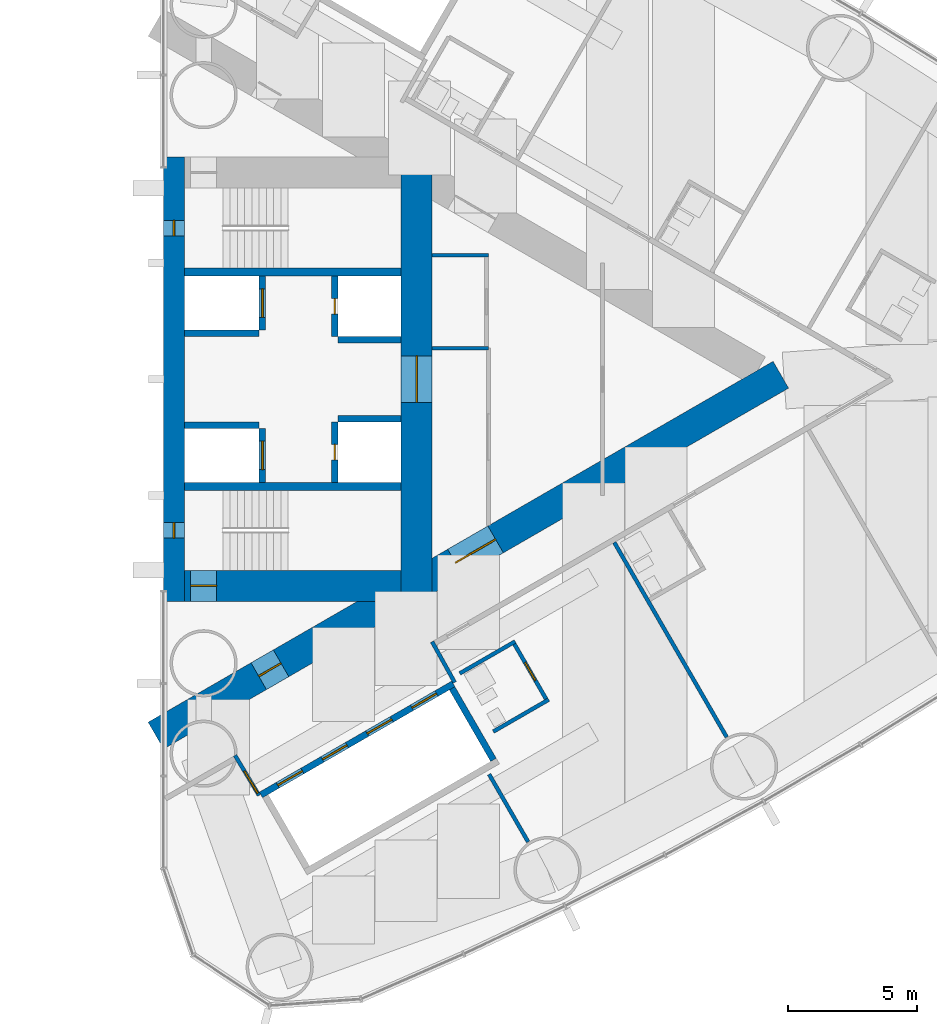
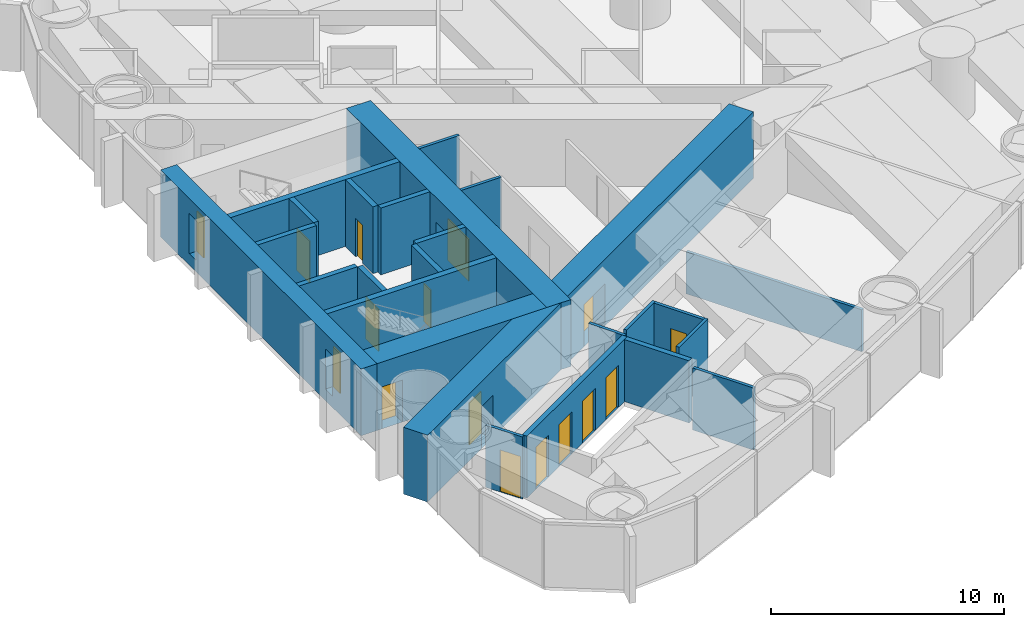
# One storey, part 14 of 19: 25 walls, 14 doors, 2 windows, 16 openings.
"""IFC4 building model written with IfcOpenShell, lengths in metres."""

import ifcopenshell
import ifcopenshell.guid

model = None  # the IFC model being written
_history = None  # IfcOwnerHistory: only IFC2X3 demands one
_inside = {}  # id of a spatial element -> (the spatial element, [elements in it])
_under = {}  # id of a project, library or spatial element -> (it, [spatial elements below it])
_declared = {}  # id of a project -> (the project, [libraries it declares])
_typed = {}  # id of a type object -> (the type object, [elements of that type])
_made_of = {}  # id of a material, layer set ... -> (it, [elements and type objects made of it])


def new_model(schema):
    """Start an empty IFC model of exactly this schema.

    Asked for "IFC4X3", IfcOpenShell would pick the latest addendum, in which some entities
    have other attributes; the version numbers below select the first issue.
    IFC2X3 requires an IfcOwnerHistory on every rooted entity: one is made here for all.
    """
    global model, _history
    if schema == "IFC4X3":
        model = ifcopenshell.file(schema_version=(4, 3, 0, 0))
    else:
        model = ifcopenshell.file(schema=schema)
    _inside.clear()
    _under.clear()
    _declared.clear()
    _typed.clear()
    _made_of.clear()
    _history = None
    if model.schema == "IFC2X3":
        org = make("IfcOrganization", Name="unknown")
        user = make(
            "IfcPersonAndOrganization",
            ThePerson=make("IfcPerson", FamilyName="unknown"),
            TheOrganization=org,
        )
        app = make(
            "IfcApplication",
            ApplicationDeveloper=org,
            Version="unknown",
            ApplicationFullName="unknown",
            ApplicationIdentifier="unknown",
        )
        _history = make(
            "IfcOwnerHistory",
            OwningUser=user,
            OwningApplication=app,
            ChangeAction="ADDED",
            CreationDate=0,
        )
    return model


def make(cls, **values):
    """One entity of the class cls with the attributes given. An attribute that is None is left unset."""
    return model.create_entity(
        cls, **{name: value for name, value in values.items() if value is not None}
    )


def rooted(cls, **values):
    """An entity with a GlobalId (a new one), such as an element, a storey or a relation."""
    return make(cls, GlobalId=ifcopenshell.guid.new(), OwnerHistory=_history, **values)


def si_unit(unit_type, name, prefix=None):
    """IfcSIUnit, for example si_unit("LENGTHUNIT", "METRE", prefix="MILLI")."""
    return make("IfcSIUnit", UnitType=unit_type, Prefix=prefix, Name=name)


def assignment(units):
    """IfcUnitAssignment: the units of a project."""
    return None if units is None else make("IfcUnitAssignment", Units=units)


def point(xyz):
    """IfcCartesianPoint."""
    return None if xyz is None else make("IfcCartesianPoint", Coordinates=xyz)


def direction(xyz):
    """IfcDirection."""
    return None if xyz is None else make("IfcDirection", DirectionRatios=xyz)


def frame(location, z_axis=None, x_axis=None):
    """IfcAxis2Placement3D, a coordinate frame: its origin and axes. An axis left out is left unset."""
    return make(
        "IfcAxis2Placement3D",
        Location=point(location),
        Axis=direction(z_axis),
        RefDirection=direction(x_axis),
    )


def frame_2d(location, x_axis=None):
    """IfcAxis2Placement2D, a coordinate frame in the plane: its origin and x axis."""
    return make(
        "IfcAxis2Placement2D", Location=point(location), RefDirection=direction(x_axis)
    )


def origin():
    """The frame at (0, 0, 0) with its axes left unset."""
    return frame((0.0, 0.0, 0.0))


def place(relative_to, where):
    """IfcLocalPlacement: puts the frame where relative to a parent placement (None: the world)."""
    return make(
        "IfcLocalPlacement", PlacementRelTo=relative_to, RelativePlacement=where
    )


def context(
    kind, dimensions, precision=None, world=None, true_north=None, identifier=None
):
    """IfcGeometricRepresentationContext, for example the 3D "Model" context."""
    return make(
        "IfcGeometricRepresentationContext",
        ContextIdentifier=identifier,
        ContextType=kind,
        CoordinateSpaceDimension=dimensions,
        Precision=precision,
        WorldCoordinateSystem=world,
        TrueNorth=true_north,
    )


def subcontext(parent, identifier, kind, view, scale=None):
    """IfcGeometricRepresentationSubContext, for example "Body" below "Model"."""
    return make(
        "IfcGeometricRepresentationSubContext",
        ContextIdentifier=identifier,
        ContextType=kind,
        ParentContext=parent,
        TargetScale=scale,
        TargetView=view,
    )


def project(units=None, contexts=None):
    """IfcProject with its units and contexts."""
    return rooted(
        "IfcProject",
        Name="project",
        RepresentationContexts=contexts,
        UnitsInContext=assignment(units),
    )


def spatial(cls, under=None, at=None, **own):
    """A site, building, storey or space (cls), placed at a placement, below another one or the project."""
    s = rooted(cls, ObjectPlacement=at, **own)
    if under is not None:
        _under.setdefault(under.id(), (under, []))[1].append(s)
    return s


def profile(cls, at=None, kind="AREA", **sizes):
    """A parametric profile (cls). Its sizes go by their IFC names, for example OverallWidth=200.0."""
    return make(cls, ProfileType=kind, Position=at, **sizes)


def rectangle(**sizes):
    """IfcRectangleProfileDef."""
    return profile("IfcRectangleProfileDef", **sizes)


def extrude(swept, where, along, depth):
    """IfcExtrudedAreaSolid: the profile swept, set in the frame where, extruded along a direction by depth."""
    return make(
        "IfcExtrudedAreaSolid",
        SweptArea=swept,
        Position=where,
        ExtrudedDirection=direction(along),
        Depth=depth,
    )


def shape(context_of_items, identifier, shape_type, items):
    """IfcShapeRepresentation: the items that make up one representation, for example the "Body"."""
    return make(
        "IfcShapeRepresentation",
        ContextOfItems=context_of_items,
        RepresentationIdentifier=identifier,
        RepresentationType=shape_type,
        Items=items,
    )


def material(Name=None, Category=None):
    """IfcMaterial."""
    return make("IfcMaterial", Name=Name, Category=Category)


def layer(
    of_material, thickness, ventilated=None, Name=None, Category=None, Priority=None
):
    """IfcMaterialLayer: one layer of a wall or slab, of a material (None: an air gap)."""
    return make(
        "IfcMaterialLayer",
        Material=of_material,
        LayerThickness=thickness,
        IsVentilated=ventilated,
        Name=Name,
        Category=Category,
        Priority=Priority,
    )


def layer_set(layers, Name=None):
    """IfcMaterialLayerSet."""
    return make("IfcMaterialLayerSet", MaterialLayers=layers, LayerSetName=Name)


def made_of(thing, what):
    """Note that an element or type object is made of a material, layer set ...; save() writes the relation."""
    if what is not None:
        _made_of.setdefault(what.id(), (what, []))[1].append(thing)
    return thing


def type_object(cls, material=None, **own):
    """A type object (cls), such as IfcWallType, which elements share."""
    return made_of(rooted(cls, **own), material)


def element(
    cls,
    number,
    at=None,
    inside=None,
    cuts=None,
    type_object=None,
    material=None,
    context=None,
    identifier="Body",
    shape_type=None,
    held_by="IfcProductDefinitionShape",
    body=None,
    shapes=None,
    **own,
):
    """One element of the class cls, such as IfcWall. Its Tag is "e" and its number.

    at: its placement. inside: the storey or other place that contains it. cuts: it is an
    opening in that element (IfcRelVoidsElement). A single representation is given by context,
    identifier, shape_type and body (its items); several are given by shapes. held_by: the class
    of the entity that holds the representations. save() writes the other relations.
    """
    e = rooted(cls, Tag="e%d" % number, ObjectPlacement=at, **own)
    if body is not None:
        shapes = [shape(context, identifier, shape_type, body)]
    if shapes is not None:
        e.Representation = make(held_by, Representations=shapes)
    if inside is not None:
        _inside.setdefault(inside.id(), (inside, []))[1].append(e)
    if cuts is not None:
        rooted(
            "IfcRelVoidsElement", RelatingBuildingElement=cuts, RelatedOpeningElement=e
        )
    if type_object is not None:
        _typed.setdefault(type_object.id(), (type_object, []))[1].append(e)
    return made_of(e, material)


def fill(opening, filler):
    """IfcRelFillsElement: the door or window that sits in an opening."""
    return rooted(
        "IfcRelFillsElement",
        RelatingOpeningElement=opening,
        RelatedBuildingElement=filler,
    )


def aggregate(whole, parts):
    """IfcRelAggregates: a whole, such as a stair, and the parts it consists of."""
    return rooted("IfcRelAggregates", RelatingObject=whole, RelatedObjects=parts)


def save(model, path):
    """Write the relations noted so far, then the file.

    IfcRelAggregates (storeys below a building ...), IfcRelContainedInSpatialStructure (elements
    in a storey), IfcRelDefinesByType, IfcRelAssociatesMaterial and IfcRelDeclares: one each for
    every whole, place, type object, material and project.
    """
    for whole, parts in _under.values():
        aggregate(whole, parts)
    for where, things in _inside.values():
        rooted(
            "IfcRelContainedInSpatialStructure",
            RelatedElements=things,
            RelatingStructure=where,
        )
    for kind, things in _typed.values():
        rooted("IfcRelDefinesByType", RelatedObjects=things, RelatingType=kind)
    for what, things in _made_of.values():
        rooted("IfcRelAssociatesMaterial", RelatedObjects=things, RelatingMaterial=what)
    for by, libraries in _declared.values():
        rooted("IfcRelDeclares", RelatingContext=by, RelatedDefinitions=libraries)
    model.write(path)


model = new_model("IFC4")

# Units and contexts
model_context = context("Model", 3, precision=1e-05, world=origin(), true_north=direction((0.0, 1.0)))
body_context = subcontext(model_context, "Body", "Model", "MODEL_VIEW")
ifc_project = project(units=[si_unit("LENGTHUNIT", "METRE"), si_unit("AREAUNIT", "SQUARE_METRE"), si_unit("VOLUMEUNIT", "CUBIC_METRE"), si_unit("PLANEANGLEUNIT", "RADIAN"), si_unit("MASSUNIT", "GRAM", prefix="KILO")], contexts=[model_context])

# Site, building, storey
site_placement = place(None, origin())
site = spatial("IfcSite", under=ifc_project, at=site_placement, CompositionType="ELEMENT")
building_placement = place(site_placement, origin())
building = spatial("IfcBuilding", under=site, at=building_placement, Name="Lancet Gate Hotel", CompositionType="ELEMENT")
storey_placement = place(building_placement, frame((0.0, 0.0, 132.60009765625)))
storey = spatial("IfcBuildingStorey", under=building, at=storey_placement, Name="L35", CompositionType="ELEMENT", Elevation=132.60009765625)

# Wall
ifc_material_1 = material(Name="Moisture resistant board partition")
ifc_layer_1 = layer(ifc_material_1, 0.14990234375)
ifc_layer_set_1 = layer_set([ifc_layer_1], Name="Bathroom wall 150")
wall_type_1 = type_object("IfcWallType", Name="Bathroom wall 150", PredefinedType="PARTITIONING", material=ifc_layer_set_1)
wall_1_placement = place(storey_placement, frame((40.269775390625, -13.644287109375, 0.0), z_axis=(0.0, 0.0, 1.0), x_axis=(0.866031185235, 0.4999899861, 0.0)))
element("IfcWall", 1, at=wall_1_placement, inside=storey, type_object=wall_type_1, Name="T2 bathroom wall 150 L35", PredefinedType="PARTITIONING", context=body_context, shape_type="SweptSolid", body=[
    extrude(rectangle(XDim=2.47509765625, YDim=0.14990234375, at=frame_2d((1.237548828125, 0.0))), origin(), (0.0, 0.0, 1.0), 3.25),
])

# Wall, opening, door
wall_2_placement = place(storey_placement, frame((41.04833984375, -10.192626953125, 0.0), z_axis=(0.0, 0.0, 1.0), x_axis=(0.500047596559, -0.865997922154, 0.0)))
wall_2 = element("IfcWall", 2, at=wall_2_placement, inside=storey, type_object=wall_type_1, Name="T2 bathroom wall 150 L35", PredefinedType="PARTITIONING", context=body_context, shape_type="SweptSolid", body=[
    extrude(rectangle(XDim=2.599853515625, YDim=0.14990234375, at=frame_2d((1.2998046875, 0.0))), origin(), (0.0, 0.0, 1.0), 3.25),
])
opening_1_placement = place(wall_2_placement, frame((0.89990234375, 0.0, 0.0)))
opening_1 = element("IfcOpeningElement", 3, at=opening_1_placement, cuts=wall_2, Name="Opening 3553-B", PredefinedType="OPENING", context=body_context, shape_type="SweptSolid", body=[
    extrude(rectangle(XDim=0.800048828125, YDim=2.199951171875, at=frame_2d((0.39990234375, 1.10009765625))), frame((0.0, 0.0849609375, 0.0), z_axis=(0.0, -1.0, 0.0), x_axis=(1.0, 0.0, 0.0)), (0.0, 0.0, 1.0), 0.169921875),
])
ifc_material_2 = material(Name="Timber door set", Category="wood")
door_type_1 = type_object("IfcDoorType", Name="Bathroom door 800", OperationType="SINGLE_SWING_RIGHT", PredefinedType="DOOR", material=ifc_material_2)
door_1_placement = place(opening_1_placement, origin())
door_1 = element("IfcDoor", 4, at=door_1_placement, inside=storey, type_object=door_type_1, Name="3553-B", OperationType="SINGLE_SWING_RIGHT", OverallHeight=2.199951171875, OverallWidth=0.800048828125, PredefinedType="DOOR", context=body_context, shape_type="SweptSolid", body=[
    extrude(rectangle(XDim=0.800048828125, YDim=2.199951171875, at=frame_2d((0.39990234375, 1.10009765625))), frame((0.0, 0.02490234375, 0.0), z_axis=(0.0, -1.0, 0.0), x_axis=(1.0, 0.0, 0.0)), (0.0, 0.0, 1.0), 0.050048828125),
])
fill(opening_1, door_1)

# Wall
wall_3_placement = place(storey_placement, frame((38.9697265625, -11.392578125, 0.0), z_axis=(0.0, 0.0, 1.0), x_axis=(0.866031185235, 0.4999899861, 0.0)))
element("IfcWall", 5, at=wall_3_placement, inside=storey, type_object=wall_type_1, Name="T2 bathroom wall 150 L35", PredefinedType="PARTITIONING", context=body_context, shape_type="SweptSolid", body=[
    extrude(rectangle(XDim=2.47509765625, YDim=0.14990234375, at=frame_2d((1.237548828125, 0.0))), origin(), (0.0, 0.0, 1.0), 3.25),
])

# Wall, openings, doors
ifc_material_3 = material(Name="Concrete C70/85", Category="concrete")
ifc_layer_2 = layer(ifc_material_3, 1.199951171875)
ifc_layer_set_2 = layer_set([ifc_layer_2], Name="Buttress wall 1200")
wall_type_2 = type_object("IfcWallType", Name="Buttress wall 1200", PredefinedType="SHEAR", material=ifc_layer_set_2)
wall_4_placement = place(storey_placement, frame((27.199951171875, -13.800048828125, 0.0), z_axis=(0.0, 0.0, 1.0), x_axis=(0.866027159892, 0.499996958321, 0.0)))
wall_4 = element("IfcWall", 6, at=wall_4_placement, inside=storey, type_object=wall_type_2, Name="T2 buttress wall S L35", PredefinedType="SHEAR", context=body_context, shape_type="SweptSolid", body=[
    extrude(rectangle(XDim=27.946533203125, YDim=1.199951171875, at=frame_2d((13.97314453125, 0.0))), origin(), (0.0, 0.0, 1.0), 3.5),
])
opening_2_placement = place(wall_4_placement, frame((4.60009765625, 0.0, 0.0)))
opening_2 = element("IfcOpeningElement", 7, at=opening_2_placement, cuts=wall_4, Name="Opening T2-L35-LS", PredefinedType="OPENING", context=body_context, shape_type="SweptSolid", body=[
    extrude(rectangle(XDim=1.0, YDim=2.199951171875, at=frame_2d((0.5, 1.10009765625))), frame((0.0, 0.60986328125, 0.0), z_axis=(0.0, -1.0, 0.0), x_axis=(1.0, 0.0, 0.0)), (0.0, 0.0, 1.0), 1.219970703125),
])
opening_3_placement = place(wall_4_placement, frame((13.39453125, 0.0, 0.0)))
opening_3 = element("IfcOpeningElement", 8, at=opening_3_placement, cuts=wall_4, Name="Opening T2-L35-LHS", PredefinedType="OPENING", context=body_context, shape_type="SweptSolid", body=[
    extrude(rectangle(XDim=1.800048828125, YDim=2.199951171875, at=frame_2d((0.89990234375, 1.10009765625))), frame((0.0, 0.60986328125, 0.0), z_axis=(0.0, -1.0, 0.0), x_axis=(1.0, 0.0, 0.0)), (0.0, 0.0, 1.0), 1.219970703125),
])
ifc_material_4 = material(Name="Timber door set", Category="wood")
door_type_2 = type_object("IfcDoorType", Name="Lobby double door 1800", OperationType="DOUBLE_DOOR_SINGLE_SWING", PredefinedType="DOOR", material=ifc_material_4)
door_2_placement = place(opening_3_placement, origin())
door_2 = element("IfcDoor", 9, at=door_2_placement, inside=storey, type_object=door_type_2, Name="T2-L35-LHS", OperationType="DOUBLE_DOOR_SINGLE_SWING", OverallHeight=2.199951171875, OverallWidth=1.800048828125, PredefinedType="DOOR", context=body_context, shape_type="SweptSolid", body=[
    extrude(rectangle(XDim=1.800048828125, YDim=2.199951171875, at=frame_2d((0.89990234375, 1.10009765625))), frame((0.0, 0.02490234375, 0.0), z_axis=(0.0, -1.0, 0.0), x_axis=(1.0, 0.0, 0.0)), (0.0, 0.0, 1.0), 0.050048828125),
])
fill(opening_3, door_2)
ifc_material_5 = material(Name="Timber door set", Category="wood")
door_type_3 = type_object("IfcDoorType", Name="Stair lobby door 1000", OperationType="SINGLE_SWING_LEFT", PredefinedType="DOOR", material=ifc_material_5)
door_3_placement = place(opening_2_placement, origin())
door_3 = element("IfcDoor", 10, at=door_3_placement, inside=storey, type_object=door_type_3, Name="T2-L35-LS", OperationType="SINGLE_SWING_LEFT", OverallHeight=2.199951171875, OverallWidth=1.0, PredefinedType="DOOR", context=body_context, shape_type="SweptSolid", body=[
    extrude(rectangle(XDim=1.0, YDim=2.199951171875, at=frame_2d((0.5, 1.10009765625))), frame((0.0, 0.02490234375, 0.0), z_axis=(0.0, -1.0, 0.0), x_axis=(1.0, 0.0, 0.0)), (0.0, 0.0, 1.0), 0.050048828125),
])
fill(opening_2, door_3)

# Wall, opening, door
ifc_material_6 = material(Name="Concrete C70/85", Category="concrete")
ifc_layer_3 = layer(ifc_material_6, 1.199951171875)
ifc_layer_set_3 = layer_set([ifc_layer_3], Name="Core wall 1200")
wall_type_3 = type_object("IfcWallType", Name="Core wall 1200", PredefinedType="SHEAR", material=ifc_layer_set_3)
wall_5_placement = place(storey_placement, frame((37.300048828125, -8.60009765625, 0.0), z_axis=(0.0, 0.0, 1.0), x_axis=(0.0, 1.0, 0.0)))
wall_5 = element("IfcWall", 11, at=wall_5_placement, inside=storey, type_object=wall_type_3, Name="T2 core wall back L35", PredefinedType="SHEAR", context=body_context, shape_type="SweptSolid", body=[
    extrude(rectangle(XDim=17.2001953125, YDim=1.199951171875, at=frame_2d((8.60009765625, 0.0))), origin(), (0.0, 0.0, 1.0), 3.5),
])
opening_4_placement = place(wall_5_placement, frame((7.699951171875, 0.0, 0.0)))
opening_4 = element("IfcOpeningElement", 12, at=opening_4_placement, cuts=wall_5, Name="Opening T2-L35-LL", PredefinedType="OPENING", context=body_context, shape_type="SweptSolid", body=[
    extrude(rectangle(XDim=1.800048828125, YDim=2.199951171875, at=frame_2d((0.89990234375, 1.10009765625))), frame((0.0, 0.60986328125, 0.0), z_axis=(0.0, -1.0, 0.0), x_axis=(1.0, 0.0, 0.0)), (0.0, 0.0, 1.0), 1.219970703125),
])
door_4_placement = place(opening_4_placement, origin())
door_4 = element("IfcDoor", 13, at=door_4_placement, inside=storey, type_object=door_type_2, Name="T2-L35-LL", OperationType="DOUBLE_DOOR_SINGLE_SWING", OverallHeight=2.199951171875, OverallWidth=1.800048828125, PredefinedType="DOOR", context=body_context, shape_type="SweptSolid", body=[
    extrude(rectangle(XDim=1.800048828125, YDim=2.199951171875, at=frame_2d((0.89990234375, 1.10009765625))), frame((0.0, 0.02490234375, 0.0), z_axis=(0.0, -1.0, 0.0), x_axis=(1.0, 0.0, 0.0)), (0.0, 0.0, 1.0), 0.050048828125),
])
fill(opening_4, door_4)

wall_6_placement = place(storey_placement, frame((28.300048828125, -8.0, 0.0), z_axis=(0.0, 0.0, 1.0), x_axis=(1.0, 0.0, 0.0)))
wall_6 = element("IfcWall", 14, at=wall_6_placement, inside=storey, type_object=wall_type_3, Name="T2 core wall side-S L35", PredefinedType="SHEAR", context=body_context, shape_type="SweptSolid", body=[
    extrude(rectangle(XDim=8.39990234375, YDim=1.199951171875, at=frame_2d((4.199951171875, 0.0))), origin(), (0.0, 0.0, 1.0), 3.5),
])
opening_5_placement = place(wall_6_placement, frame((0.25, 0.0, 0.0)))
opening_5 = element("IfcOpeningElement", 15, at=opening_5_placement, cuts=wall_6, Name="Opening T2-L35-ST1", PredefinedType="OPENING", context=body_context, shape_type="SweptSolid", body=[
    extrude(rectangle(XDim=1.0, YDim=2.199951171875, at=frame_2d((0.5, 1.10009765625))), frame((0.0, 0.60986328125, 0.0), z_axis=(0.0, -1.0, 0.0), x_axis=(1.0, 0.0, 0.0)), (0.0, 0.0, 1.0), 1.219970703125),
])
ifc_material_7 = material(Name="Timber door set", Category="wood")
door_type_4 = type_object("IfcDoorType", Name="Stair door 1000", OperationType="SINGLE_SWING_RIGHT", PredefinedType="DOOR", material=ifc_material_7)
door_5_placement = place(opening_5_placement, origin())
door_5 = element("IfcDoor", 16, at=door_5_placement, inside=storey, type_object=door_type_4, Name="T2-L35-ST1", OperationType="SINGLE_SWING_RIGHT", OverallHeight=2.199951171875, OverallWidth=1.0, PredefinedType="DOOR", context=body_context, shape_type="SweptSolid", body=[
    extrude(rectangle(XDim=1.0, YDim=2.199951171875, at=frame_2d((0.5, 1.10009765625))), frame((0.0, 0.02490234375, 0.0), z_axis=(0.0, -1.0, 0.0), x_axis=(1.0, 0.0, 0.0)), (0.0, 0.0, 1.0), 0.050048828125),
])
fill(opening_5, door_5)

# Wall, openings, windows
ifc_material_8 = material(Name="Concrete C70/85", Category="concrete")
ifc_layer_4 = layer(ifc_material_8, 0.800048828125)
ifc_layer_set_4 = layer_set([ifc_layer_4], Name="Core wall 800")
wall_type_4 = type_object("IfcWallType", Name="Core wall 800", PredefinedType="SHEAR", material=ifc_layer_set_4)
wall_7_placement = place(storey_placement, frame((27.89990234375, -8.60009765625, 0.0), z_axis=(0.0, 0.0, 1.0), x_axis=(0.0, 1.0, 0.0)))
wall_7 = element("IfcWall", 17, at=wall_7_placement, inside=storey, type_object=wall_type_4, Name="T2 core wall front L35", PredefinedType="SHEAR", context=body_context, shape_type="SweptSolid", body=[
    extrude(rectangle(XDim=17.2001953125, YDim=0.800048828125, at=frame_2d((8.60009765625, 0.0))), origin(), (0.0, 0.0, 1.0), 3.5),
])
opening_6_placement = place(wall_7_placement, frame((2.449951171875, 0.0, 0.60009765625)))
opening_6 = element("IfcOpeningElement", 18, at=opening_6_placement, cuts=wall_7, Name="Opening LW1", PredefinedType="OPENING", context=body_context, shape_type="SweptSolid", body=[
    extrude(rectangle(XDim=0.60009765625, YDim=2.10009765625, at=frame_2d((0.300048828125, 1.050048828125))), frame((0.0, 0.409912109375, 0.0), z_axis=(0.0, -1.0, 0.0), x_axis=(1.0, 0.0, 0.0)), (0.0, 0.0, 1.0), 0.820068359375),
])
opening_7_placement = place(wall_7_placement, frame((14.14990234375, 0.0, 0.60009765625)))
opening_7 = element("IfcOpeningElement", 19, at=opening_7_placement, cuts=wall_7, Name="Opening LW1", PredefinedType="OPENING", context=body_context, shape_type="SweptSolid", body=[
    extrude(rectangle(XDim=0.60009765625, YDim=2.10009765625, at=frame_2d((0.300048828125, 1.050048828125))), frame((0.0, 0.409912109375, 0.0), z_axis=(0.0, -1.0, 0.0), x_axis=(1.0, 0.0, 0.0)), (0.0, 0.0, 1.0), 0.820068359375),
])
ifc_material_9 = material(Name="Fire-resisting glazed steel window", Category="steel")
window_type = type_object("IfcWindowType", Name="Lancet window 600x2100", PartitioningType="SINGLE_PANEL", PredefinedType="WINDOW", material=ifc_material_9)
window_1_placement = place(opening_6_placement, origin())
window_1 = element("IfcWindow", 20, at=window_1_placement, inside=storey, type_object=window_type, Name="T2 stair window S L35", OverallHeight=2.10009765625, OverallWidth=0.60009765625, PartitioningType="SINGLE_PANEL", PredefinedType="WINDOW", context=body_context, shape_type="SweptSolid", body=[
    extrude(rectangle(XDim=0.60009765625, YDim=2.10009765625, at=frame_2d((0.300048828125, 1.050048828125))), frame((0.0, 0.030029296875, 0.0), z_axis=(0.0, -1.0, 0.0), x_axis=(1.0, 0.0, 0.0)), (0.0, 0.0, 1.0), 0.06005859375),
])
fill(opening_6, window_1)
window_2_placement = place(opening_7_placement, origin())
window_2 = element("IfcWindow", 21, at=window_2_placement, inside=storey, type_object=window_type, Name="T2 stair window N L35", OverallHeight=2.10009765625, OverallWidth=0.60009765625, PartitioningType="SINGLE_PANEL", PredefinedType="WINDOW", context=body_context, shape_type="SweptSolid", body=[
    extrude(rectangle(XDim=0.60009765625, YDim=2.10009765625, at=frame_2d((0.300048828125, 1.050048828125))), frame((0.0, 0.030029296875, 0.0), z_axis=(0.0, -1.0, 0.0), x_axis=(1.0, 0.0, 0.0)), (0.0, 0.0, 1.0), 0.06005859375),
])
fill(opening_7, window_2)

# Wall, openings, doors
ifc_material_10 = material(Name="Gypsum board partition")
ifc_layer_5 = layer(ifc_material_10, 0.25)
ifc_layer_set_5 = layer_set([ifc_layer_5], Name="Lift shaft partition 250")
wall_type_5 = type_object("IfcWallType", Name="Lift shaft partition 250", PredefinedType="PARTITIONING", material=ifc_layer_set_5)
wall_8_placement = place(storey_placement, frame((31.2705078125, -16.09716796875, 0.0), z_axis=(0.0, 0.0, 1.0), x_axis=(0.86604045752, 0.499973925258, 0.0)))
wall_8 = element("IfcWall", 22, at=wall_8_placement, inside=storey, type_object=wall_type_5, Name="T2 lift shaft wall LR L35", PredefinedType="PARTITIONING", context=body_context, shape_type="SweptSolid", body=[
    extrude(rectangle(XDim=8.60009765625, YDim=0.25, at=frame_2d((4.300048828125, 0.0))), origin(), (0.0, 0.0, 1.0), 3.25),
])
opening_8_placement = place(wall_8_placement, frame((0.75, 0.0, 0.0)))
opening_8 = element("IfcOpeningElement", 23, at=opening_8_placement, cuts=wall_8, Name="Opening T2-LR1-L35", PredefinedType="OPENING", context=body_context, shape_type="SweptSolid", body=[
    extrude(rectangle(XDim=1.10009765625, YDim=2.199951171875, at=frame_2d((0.550048828125, 1.10009765625))), frame((0.0, 0.135009765625, 0.0), z_axis=(0.0, -1.0, 0.0), x_axis=(1.0, 0.0, 0.0)), (0.0, 0.0, 1.0), 0.27001953125),
])
opening_9_placement = place(wall_8_placement, frame((2.75, 0.0, 0.0)))
opening_9 = element("IfcOpeningElement", 24, at=opening_9_placement, cuts=wall_8, Name="Opening T2-LR2-L35", PredefinedType="OPENING", context=body_context, shape_type="SweptSolid", body=[
    extrude(rectangle(XDim=1.10009765625, YDim=2.199951171875, at=frame_2d((0.550048828125, 1.10009765625))), frame((0.0, 0.135009765625, 0.0), z_axis=(0.0, -1.0, 0.0), x_axis=(1.0, 0.0, 0.0)), (0.0, 0.0, 1.0), 0.27001953125),
])
opening_10_placement = place(wall_8_placement, frame((4.75, 0.0, 0.0)))
opening_10 = element("IfcOpeningElement", 25, at=opening_10_placement, cuts=wall_8, Name="Opening T2-LR3-L35", PredefinedType="OPENING", context=body_context, shape_type="SweptSolid", body=[
    extrude(rectangle(XDim=1.10009765625, YDim=2.199951171875, at=frame_2d((0.550048828125, 1.10009765625))), frame((0.0, 0.135009765625, 0.0), z_axis=(0.0, -1.0, 0.0), x_axis=(1.0, 0.0, 0.0)), (0.0, 0.0, 1.0), 0.27001953125),
])
opening_11_placement = place(wall_8_placement, frame((6.75, 0.0, 0.0)))
opening_11 = element("IfcOpeningElement", 26, at=opening_11_placement, cuts=wall_8, Name="Opening T2-LR4-L35", PredefinedType="OPENING", context=body_context, shape_type="SweptSolid", body=[
    extrude(rectangle(XDim=1.10009765625, YDim=2.199951171875, at=frame_2d((0.550048828125, 1.10009765625))), frame((0.0, 0.135009765625, 0.0), z_axis=(0.0, -1.0, 0.0), x_axis=(1.0, 0.0, 0.0)), (0.0, 0.0, 1.0), 0.27001953125),
])
ifc_material_11 = material(Name="Steel door set", Category="steel")
door_type_5 = type_object("IfcDoorType", Name="Lift landing door 1100", OperationType="DOUBLE_DOOR_SLIDING", PredefinedType="USERDEFINED", material=ifc_material_11)
door_6_placement = place(opening_8_placement, origin())
door_6 = element("IfcDoor", 27, at=door_6_placement, inside=storey, type_object=door_type_5, Name="T2-LR1-L35", ObjectType="LIFT LANDING DOOR", OperationType="DOUBLE_DOOR_SLIDING", OverallHeight=2.199951171875, OverallWidth=1.10009765625, PredefinedType="USERDEFINED", context=body_context, shape_type="SweptSolid", body=[
    extrude(rectangle(XDim=1.10009765625, YDim=2.199951171875, at=frame_2d((0.550048828125, 1.10009765625))), frame((0.0, 0.02490234375, 0.0), z_axis=(0.0, -1.0, 0.0), x_axis=(1.0, 0.0, 0.0)), (0.0, 0.0, 1.0), 0.050048828125),
])
fill(opening_8, door_6)
door_7_placement = place(opening_9_placement, origin())
door_7 = element("IfcDoor", 28, at=door_7_placement, inside=storey, type_object=door_type_5, Name="T2-LR2-L35", ObjectType="LIFT LANDING DOOR", OperationType="DOUBLE_DOOR_SLIDING", OverallHeight=2.199951171875, OverallWidth=1.10009765625, PredefinedType="USERDEFINED", context=body_context, shape_type="SweptSolid", body=[
    extrude(rectangle(XDim=1.10009765625, YDim=2.199951171875, at=frame_2d((0.550048828125, 1.10009765625))), frame((0.0, 0.02490234375, 0.0), z_axis=(0.0, -1.0, 0.0), x_axis=(1.0, 0.0, 0.0)), (0.0, 0.0, 1.0), 0.050048828125),
])
fill(opening_9, door_7)
door_8_placement = place(opening_10_placement, origin())
door_8 = element("IfcDoor", 29, at=door_8_placement, inside=storey, type_object=door_type_5, Name="T2-LR3-L35", ObjectType="LIFT LANDING DOOR", OperationType="DOUBLE_DOOR_SLIDING", OverallHeight=2.199951171875, OverallWidth=1.10009765625, PredefinedType="USERDEFINED", context=body_context, shape_type="SweptSolid", body=[
    extrude(rectangle(XDim=1.10009765625, YDim=2.199951171875, at=frame_2d((0.550048828125, 1.10009765625))), frame((0.0, 0.02490234375, 0.0), z_axis=(0.0, -1.0, 0.0), x_axis=(1.0, 0.0, 0.0)), (0.0, 0.0, 1.0), 0.050048828125),
])
fill(opening_10, door_8)
door_9_placement = place(opening_11_placement, origin())
door_9 = element("IfcDoor", 30, at=door_9_placement, inside=storey, type_object=door_type_5, Name="T2-LR4-L35", ObjectType="LIFT LANDING DOOR", OperationType="DOUBLE_DOOR_SLIDING", OverallHeight=2.199951171875, OverallWidth=1.10009765625, PredefinedType="USERDEFINED", context=body_context, shape_type="SweptSolid", body=[
    extrude(rectangle(XDim=1.10009765625, YDim=2.199951171875, at=frame_2d((0.550048828125, 1.10009765625))), frame((0.0, 0.02490234375, 0.0), z_axis=(0.0, -1.0, 0.0), x_axis=(1.0, 0.0, 0.0)), (0.0, 0.0, 1.0), 0.050048828125),
])
fill(opening_11, door_9)

# Wall
wall_9_placement = place(storey_placement, frame((38.672607421875, -11.968017578125, 0.0), z_axis=(0.0, 0.0, 1.0), x_axis=(0.499929347863, -0.866066190972, 0.0)))
element("IfcWall", 31, at=wall_9_placement, inside=storey, type_object=wall_type_5, Name="T2 lift shaft wall LR L35", PredefinedType="PARTITIONING", context=body_context, shape_type="SweptSolid", body=[
    extrude(rectangle(XDim=3.20068359375, YDim=0.25, at=frame_2d((1.600341796875, 0.0))), origin(), (0.0, 0.0, 1.0), 3.25),
])

# Wall, opening, door
ifc_material_12 = material(Name="Concrete C50/60", Category="concrete")
ifc_layer_6 = layer(ifc_material_12, 0.25)
ifc_layer_set_6 = layer_set([ifc_layer_6], Name="Lift shaft wall 250")
wall_type_6 = type_object("IfcWallType", Name="Lift shaft wall 250", PredefinedType="SHEAR", material=ifc_layer_set_6)
wall_10_placement = place(storey_placement, frame((31.324951171875, -4.0, 0.0), z_axis=(0.0, 0.0, 1.0), x_axis=(0.0, 1.0, 0.0)))
wall_10 = element("IfcWall", 32, at=wall_10_placement, inside=storey, type_object=wall_type_6, Name="T2 core wall row1-S L35", PredefinedType="SHEAR", context=body_context, shape_type="SweptSolid", body=[
    extrude(rectangle(XDim=2.10009765625, YDim=0.25, at=frame_2d((1.050048828125, 0.0))), origin(), (0.0, 0.0, 1.0), 3.5),
])
opening_12_placement = place(wall_10_placement, frame((0.5, 0.0, 0.0)))
opening_12 = element("IfcOpeningElement", 33, at=opening_12_placement, cuts=wall_10, Name="Opening T2-SL1-L35", PredefinedType="OPENING", context=body_context, shape_type="SweptSolid", body=[
    extrude(rectangle(XDim=1.10009765625, YDim=2.199951171875, at=frame_2d((0.550048828125, 1.10009765625))), frame((0.0, 0.135009765625, 0.0), z_axis=(0.0, -1.0, 0.0), x_axis=(1.0, 0.0, 0.0)), (0.0, 0.0, 1.0), 0.27001953125),
])
ifc_material_13 = material(Name="Timber door set", Category="wood")
door_type_6 = type_object("IfcDoorType", Name="Service lift landing door 1100", OperationType="SLIDING_TO_LEFT", PredefinedType="USERDEFINED", material=ifc_material_13)
door_10_placement = place(opening_12_placement, origin())
door_10 = element("IfcDoor", 34, at=door_10_placement, inside=storey, type_object=door_type_6, Name="T2-SL1-L35", ObjectType="LIFT LANDING DOOR", OperationType="SLIDING_TO_LEFT", OverallHeight=2.199951171875, OverallWidth=1.10009765625, PredefinedType="USERDEFINED", context=body_context, shape_type="SweptSolid", body=[
    extrude(rectangle(XDim=1.10009765625, YDim=2.199951171875, at=frame_2d((0.550048828125, 1.10009765625))), frame((0.0, 0.02490234375, 0.0), z_axis=(0.0, -1.0, 0.0), x_axis=(1.0, 0.0, 0.0)), (0.0, 0.0, 1.0), 0.050048828125),
])
fill(opening_12, door_10)

wall_11_placement = place(storey_placement, frame((34.125, -4.0, 0.0), z_axis=(0.0, 0.0, 1.0), x_axis=(0.0, 1.0, 0.0)))
wall_11 = element("IfcWall", 35, at=wall_11_placement, inside=storey, type_object=wall_type_6, Name="T2 core wall row2-S L35", PredefinedType="SHEAR", context=body_context, shape_type="SweptSolid", body=[
    extrude(rectangle(XDim=2.35009765625, YDim=0.25, at=frame_2d((1.175048828125, 0.0))), origin(), (0.0, 0.0, 1.0), 3.5),
])
opening_13_placement = place(wall_11_placement, frame((0.875, 0.0, 0.0)))
opening_13 = element("IfcOpeningElement", 36, at=opening_13_placement, cuts=wall_11, Name="Opening T2-OL3-L35-E", PredefinedType="OPENING", context=body_context, shape_type="SweptSolid", body=[
    extrude(rectangle(XDim=0.60009765625, YDim=2.0, at=frame_2d((0.300048828125, 1.0))), frame((0.0, 0.135009765625, 0.0), z_axis=(0.0, -1.0, 0.0), x_axis=(1.0, 0.0, 0.0)), (0.0, 0.0, 1.0), 0.27001953125),
])
ifc_material_14 = material(Name="Steel door set", Category="steel")
door_type_7 = type_object("IfcDoorType", Name="Lift shaft emergency door 600x2000", OperationType="SLIDING_TO_LEFT", PredefinedType="DOOR", material=ifc_material_14)
door_11_placement = place(opening_13_placement, origin())
door_11 = element("IfcDoor", 37, at=door_11_placement, inside=storey, type_object=door_type_7, Name="T2-OL3-L35-E", OperationType="SLIDING_TO_LEFT", OverallHeight=2.0, OverallWidth=0.60009765625, PredefinedType="DOOR", context=body_context, shape_type="SweptSolid", body=[
    extrude(rectangle(XDim=0.60009765625, YDim=2.0, at=frame_2d((0.300048828125, 1.0))), frame((0.0, 0.02490234375, 0.0), z_axis=(0.0, -1.0, 0.0), x_axis=(1.0, 0.0, 0.0)), (0.0, 0.0, 1.0), 0.050048828125),
])
fill(opening_13, door_11)

# Walls
wall_12_placement = place(storey_placement, frame((28.300048828125, -1.77490234375, 0.0), z_axis=(0.0, 0.0, 1.0), x_axis=(1.0, 0.0, 0.0)))
element("IfcWall", 38, at=wall_12_placement, inside=storey, type_object=wall_type_6, Name="T2 core wall pass1-S L35", PredefinedType="SHEAR", context=body_context, shape_type="SweptSolid", body=[
    extrude(rectangle(XDim=2.89990234375, YDim=0.25, at=frame_2d((1.449951171875, 0.0))), origin(), (0.0, 0.0, 1.0), 3.5),
])
wall_13_placement = place(storey_placement, frame((34.25, -1.52490234375, 0.0), z_axis=(0.0, 0.0, 1.0), x_axis=(1.0, 0.0, 0.0)))
element("IfcWall", 39, at=wall_13_placement, inside=storey, type_object=wall_type_6, Name="T2 core wall pass2-S L35", PredefinedType="SHEAR", context=body_context, shape_type="SweptSolid", body=[
    extrude(rectangle(XDim=2.449951171875, YDim=0.25, at=frame_2d((1.22509765625, 0.0))), origin(), (0.0, 0.0, 1.0), 3.5),
])

# Wall, opening, door
wall_14_placement = place(storey_placement, frame((31.324951171875, 1.89990234375, 0.0), z_axis=(0.0, 0.0, 1.0), x_axis=(0.0, 1.0, 0.0)))
wall_14 = element("IfcWall", 40, at=wall_14_placement, inside=storey, type_object=wall_type_6, Name="T2 core wall row1-N L35", PredefinedType="SHEAR", context=body_context, shape_type="SweptSolid", body=[
    extrude(rectangle(XDim=2.10009765625, YDim=0.25, at=frame_2d((1.050048828125, 0.0))), origin(), (0.0, 0.0, 1.0), 3.5),
])
opening_14_placement = place(wall_14_placement, frame((0.5, 0.0, 0.0)))
opening_14 = element("IfcOpeningElement", 41, at=opening_14_placement, cuts=wall_14, Name="Opening T2-FL2-L35", PredefinedType="OPENING", context=body_context, shape_type="SweptSolid", body=[
    extrude(rectangle(XDim=1.10009765625, YDim=2.199951171875, at=frame_2d((0.550048828125, 1.10009765625))), frame((0.0, 0.135009765625, 0.0), z_axis=(0.0, -1.0, 0.0), x_axis=(1.0, 0.0, 0.0)), (0.0, 0.0, 1.0), 0.27001953125),
])
ifc_material_15 = material(Name="Steel door set", Category="steel")
door_type_8 = type_object("IfcDoorType", Name="Firefighting lift landing door 1100", OperationType="SLIDING_TO_LEFT", PredefinedType="USERDEFINED", material=ifc_material_15)
door_12_placement = place(opening_14_placement, origin())
door_12 = element("IfcDoor", 42, at=door_12_placement, inside=storey, type_object=door_type_8, Name="T2-FL2-L35", ObjectType="LIFT LANDING DOOR", OperationType="SLIDING_TO_LEFT", OverallHeight=2.199951171875, OverallWidth=1.10009765625, PredefinedType="USERDEFINED", context=body_context, shape_type="SweptSolid", body=[
    extrude(rectangle(XDim=1.10009765625, YDim=2.199951171875, at=frame_2d((0.550048828125, 1.10009765625))), frame((0.0, 0.02490234375, 0.0), z_axis=(0.0, -1.0, 0.0), x_axis=(1.0, 0.0, 0.0)), (0.0, 0.0, 1.0), 0.050048828125),
])
fill(opening_14, door_12)

wall_15_placement = place(storey_placement, frame((34.125, 1.64990234375, 0.0), z_axis=(0.0, 0.0, 1.0), x_axis=(0.0, 1.0, 0.0)))
wall_15 = element("IfcWall", 43, at=wall_15_placement, inside=storey, type_object=wall_type_6, Name="T2 core wall row2-N L35", PredefinedType="SHEAR", context=body_context, shape_type="SweptSolid", body=[
    extrude(rectangle(XDim=2.35009765625, YDim=0.25, at=frame_2d((1.175048828125, 0.0))), origin(), (0.0, 0.0, 1.0), 3.5),
])
opening_15_placement = place(wall_15_placement, frame((0.875, 0.0, 0.0)))
opening_15 = element("IfcOpeningElement", 44, at=opening_15_placement, cuts=wall_15, Name="Opening T2-OL4-L35-E", PredefinedType="OPENING", context=body_context, shape_type="SweptSolid", body=[
    extrude(rectangle(XDim=0.60009765625, YDim=2.0, at=frame_2d((0.300048828125, 1.0))), frame((0.0, 0.135009765625, 0.0), z_axis=(0.0, -1.0, 0.0), x_axis=(1.0, 0.0, 0.0)), (0.0, 0.0, 1.0), 0.27001953125),
])
door_13_placement = place(opening_15_placement, origin())
door_13 = element("IfcDoor", 45, at=door_13_placement, inside=storey, type_object=door_type_7, Name="T2-OL4-L35-E", OperationType="SLIDING_TO_LEFT", OverallHeight=2.0, OverallWidth=0.60009765625, PredefinedType="DOOR", context=body_context, shape_type="SweptSolid", body=[
    extrude(rectangle(XDim=0.60009765625, YDim=2.0, at=frame_2d((0.300048828125, 1.0))), frame((0.0, 0.02490234375, 0.0), z_axis=(0.0, -1.0, 0.0), x_axis=(1.0, 0.0, 0.0)), (0.0, 0.0, 1.0), 0.050048828125),
])
fill(opening_15, door_13)

# Walls
wall_16_placement = place(storey_placement, frame((28.300048828125, 1.77490234375, 0.0), z_axis=(0.0, 0.0, 1.0), x_axis=(1.0, 0.0, 0.0)))
element("IfcWall", 46, at=wall_16_placement, inside=storey, type_object=wall_type_6, Name="T2 core wall pass1-N L35", PredefinedType="SHEAR", context=body_context, shape_type="SweptSolid", body=[
    extrude(rectangle(XDim=2.89990234375, YDim=0.25, at=frame_2d((1.449951171875, 0.0))), origin(), (0.0, 0.0, 1.0), 3.5),
])
wall_17_placement = place(storey_placement, frame((34.25, 1.52490234375, 0.0), z_axis=(0.0, 0.0, 1.0), x_axis=(1.0, 0.0, 0.0)))
element("IfcWall", 47, at=wall_17_placement, inside=storey, type_object=wall_type_6, Name="T2 core wall pass2-N L35", PredefinedType="SHEAR", context=body_context, shape_type="SweptSolid", body=[
    extrude(rectangle(XDim=2.449951171875, YDim=0.25, at=frame_2d((1.22509765625, 0.0))), origin(), (0.0, 0.0, 1.0), 3.5),
])
ifc_material_16 = material(Name="Gypsum board partition")
ifc_layer_7 = layer(ifc_material_16, 0.14990234375)
ifc_layer_set_7 = layer_set([ifc_layer_7], Name="Party wall 150")
wall_type_7 = type_object("IfcWallType", Name="Party wall 150", PredefinedType="PARTITIONING", material=ifc_layer_set_7)
wall_18_placement = place(storey_placement, frame((44.95361328125, -6.3212890625, 0.0), z_axis=(0.0, 0.0, 1.0), x_axis=(0.500018676722, -0.866014620505, 0.0)))
element("IfcWall", 48, at=wall_18_placement, inside=storey, type_object=wall_type_7, Name="T2 party wall 150 L35", PredefinedType="PARTITIONING", context=body_context, shape_type="SweptSolid", body=[
    extrude(rectangle(XDim=8.703857421875, YDim=0.14990234375, at=frame_2d((4.35205078125, 0.0))), origin(), (0.0, 0.0, 1.0), 2.199951171875),
])
wall_19_placement = place(storey_placement, frame((40.10546875, -15.298583984375, 0.0), z_axis=(0.0, 0.0, 1.0), x_axis=(0.499978822259, -0.866037630414, 0.0)))
element("IfcWall", 49, at=wall_19_placement, inside=storey, type_object=wall_type_7, Name="T2 party wall 150 L35", PredefinedType="PARTITIONING", context=body_context, shape_type="SweptSolid", body=[
    extrude(rectangle(XDim=3.022705078125, YDim=0.14990234375, at=frame_2d((1.51123046875, 0.0))), origin(), (0.0, 0.0, 1.0), 3.25),
])
ifc_material_17 = material(Name="Gypsum board partition")
ifc_layer_8 = layer(ifc_material_17, 0.14990234375)
ifc_layer_set_8 = layer_set([ifc_layer_8], Name="Service room wall 150")
wall_type_8 = type_object("IfcWallType", Name="Service room wall 150", PredefinedType="PARTITIONING", material=ifc_layer_set_8)
wall_20_placement = place(storey_placement, frame((38.7734375, -11.742431640625, 0.0), z_axis=(0.0, 0.0, 1.0), x_axis=(-0.485528096672, 0.8742210632, 0.0)))
element("IfcWall", 50, at=wall_20_placement, inside=storey, type_object=wall_type_8, Name="T2 service room wall 150 L35", PredefinedType="PARTITIONING", context=body_context, shape_type="SweptSolid", body=[
    extrude(rectangle(XDim=1.80517578125, YDim=0.14990234375, at=frame_2d((0.902587890625, 0.0))), origin(), (0.0, 0.0, 1.0), 3.25),
])

# Wall, opening, door
wall_21_placement = place(storey_placement, frame((30.26708984375, -14.5693359375, 0.0), z_axis=(0.0, 0.0, 1.0), x_axis=(0.514336634837, -0.857588377991, 0.0)))
wall_21 = element("IfcWall", 51, at=wall_21_placement, inside=storey, type_object=wall_type_8, Name="T2 service room wall 150 L35", PredefinedType="PARTITIONING", context=body_context, shape_type="SweptSolid", body=[
    extrude(rectangle(XDim=1.80517578125, YDim=0.14990234375, at=frame_2d((0.902587890625, 0.0))), origin(), (0.0, 0.0, 1.0), 3.25),
])
opening_16_placement = place(wall_21_placement, frame((0.702880859375, 0.0, 0.0)))
opening_16 = element("IfcOpeningElement", 52, at=opening_16_placement, cuts=wall_21, Name="Opening T2-L35-LO1", PredefinedType="OPENING", context=body_context, shape_type="SweptSolid", body=[
    extrude(rectangle(XDim=1.0, YDim=2.199951171875, at=frame_2d((0.5, 1.10009765625))), frame((0.0, 0.0849609375, 0.0), z_axis=(0.0, -1.0, 0.0), x_axis=(1.0, 0.0, 0.0)), (0.0, 0.0, 1.0), 0.169921875),
])
ifc_material_18 = material(Name="Timber door set", Category="wood")
door_type_9 = type_object("IfcDoorType", Name="Service door 1000", OperationType="SINGLE_SWING_LEFT", PredefinedType="DOOR", material=ifc_material_18)
door_14_placement = place(opening_16_placement, origin())
door_14 = element("IfcDoor", 53, at=door_14_placement, inside=storey, type_object=door_type_9, Name="T2-L35-LO1", OperationType="SINGLE_SWING_LEFT", OverallHeight=2.199951171875, OverallWidth=1.0, PredefinedType="DOOR", context=body_context, shape_type="SweptSolid", body=[
    extrude(rectangle(XDim=1.0, YDim=2.199951171875, at=frame_2d((0.5, 1.10009765625))), frame((0.0, 0.02490234375, 0.0), z_axis=(0.0, -1.0, 0.0), x_axis=(1.0, 0.0, 0.0)), (0.0, 0.0, 1.0), 0.050048828125),
])
fill(opening_16, door_14)

# Walls
for number, where, z_axis, x_axis, name in (
    (54, (37.89990234375, 1.199951171875, 0.0), (0.0, 0.0, 1.0), (1.0, 0.0, 0.0), "T2 service room wall 150 L35"),
    (55, (37.89990234375, 4.800048828125, 0.0), (0.0, 0.0, 1.0), (1.0, 0.0, 0.0), "T2 service room wall 150 L35"),
):
    element("IfcWall", number, at=place(storey_placement, frame(where, z_axis=z_axis, x_axis=x_axis)), inside=storey, type_object=wall_type_8, Name=name, PredefinedType="PARTITIONING", context=body_context, shape_type="SweptSolid", body=[
        extrude(rectangle(XDim=2.175048828125, YDim=0.14990234375, at=frame_2d((1.08740234375, 0.0))), origin(), (0.0, 0.0, 1.0), 3.25),
    ])
ifc_material_19 = material(Name="Concrete C50/60", Category="concrete")
ifc_layer_9 = layer(ifc_material_19, 0.300048828125)
ifc_layer_set_9 = layer_set([ifc_layer_9], Name="Stair enclosure wall 300")
wall_type_9 = type_object("IfcWallType", Name="Stair enclosure wall 300", PredefinedType="SHEAR", material=ifc_layer_set_9)
for number, where, z_axis, x_axis, name in (
    (56, (28.300048828125, -4.14990234375, 0.0), (0.0, 0.0, 1.0), (1.0, 0.0, 0.0), "T2 core wall stair-S L35"),
    (57, (28.300048828125, 4.14990234375, 0.0), (0.0, 0.0, 1.0), (1.0, 0.0, 0.0), "T2 core wall stair-N L35"),
):
    element("IfcWall", number, at=place(storey_placement, frame(where, z_axis=z_axis, x_axis=x_axis)), inside=storey, type_object=wall_type_9, Name=name, PredefinedType="SHEAR", context=body_context, shape_type="SweptSolid", body=[
        extrude(rectangle(XDim=8.39990234375, YDim=0.300048828125, at=frame_2d((4.199951171875, 0.0))), origin(), (0.0, 0.0, 1.0), 3.5),
    ])

save(model, "model.ifc")
